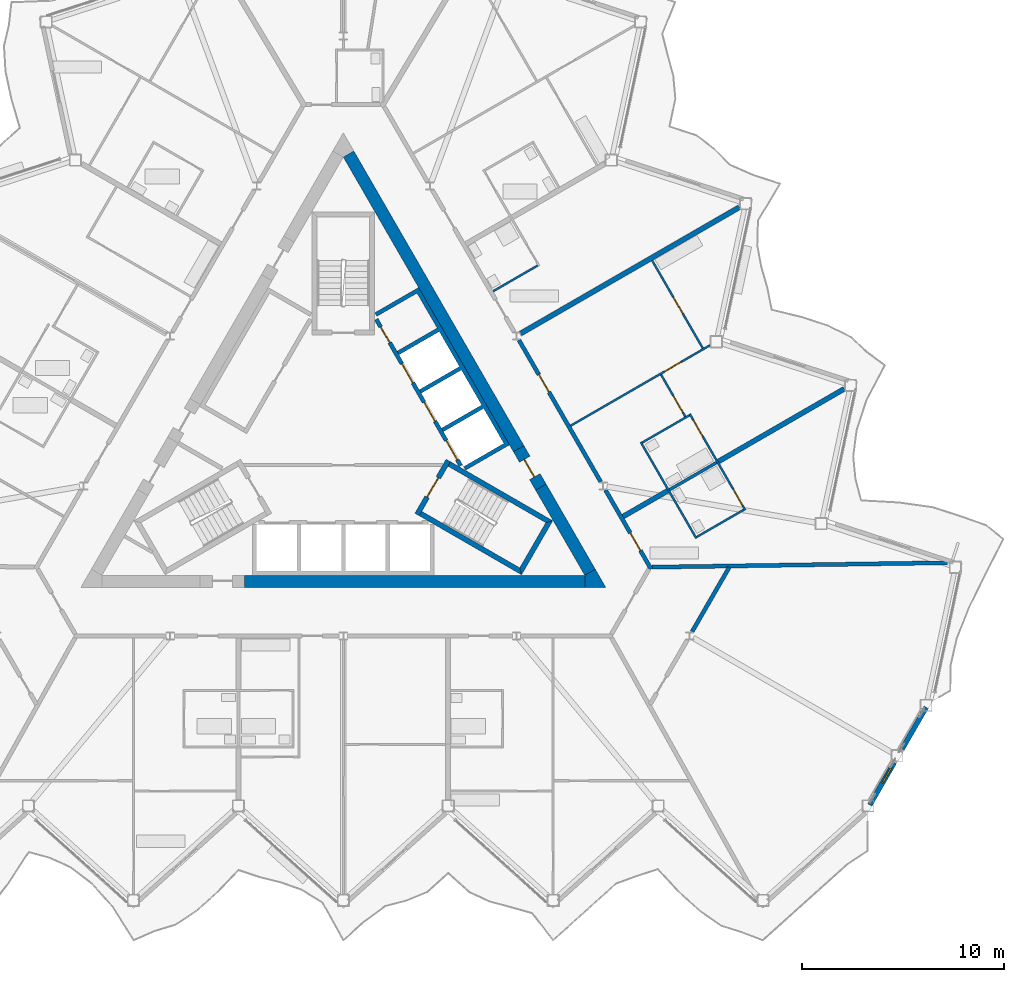
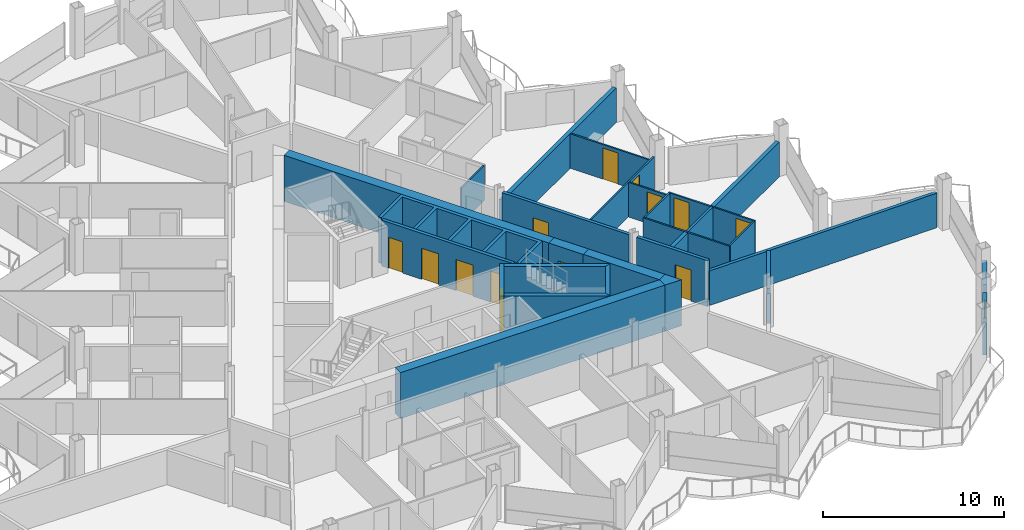
# One storey, part 16 of 26: 29 walls, 13 doors, 1 window, 14 openings.
"""IFC4 building model written with IfcOpenShell, lengths in metres."""

from ifc_helpers import new_model, si_unit, direction, frame, frame_2d, origin, place, context, subcontext, project, spatial, polyline, rectangle, outline, extrude, material, layer, layer_set, type_object, element, fill, save


model = new_model("IFC4")

# Units and contexts
model_context = context("Model", 3, precision=1e-05, world=origin(), true_north=direction((0.0, 1.0)))
body_context = subcontext(model_context, "Body", "Model", "MODEL_VIEW")
ifc_project = project(units=[si_unit("LENGTHUNIT", "METRE"), si_unit("AREAUNIT", "SQUARE_METRE"), si_unit("VOLUMEUNIT", "CUBIC_METRE"), si_unit("PLANEANGLEUNIT", "RADIAN"), si_unit("MASSUNIT", "GRAM", prefix="KILO")], contexts=[model_context])

# Site, building, storey
site_placement = place(None, origin())
site = spatial("IfcSite", under=ifc_project, at=site_placement, CompositionType="ELEMENT")
building_placement = place(site_placement, origin())
building = spatial("IfcBuilding", under=site, at=building_placement, Name="Cormorant Prow Tower", CompositionType="ELEMENT")
storey_placement = place(building_placement, frame((0.0, 0.0, 325.60009765625)))
storey = spatial("IfcBuildingStorey", under=building, at=storey_placement, Name="L72", CompositionType="ELEMENT", Elevation=325.60009765625)

# Walls
ifc_material_1 = material(Name="Concrete 8000 psi", Category="concrete")
ifc_layer_1 = layer(ifc_material_1, 0.60009765625)
ifc_layer_set_1 = layer_set([ifc_layer_1], Name="Concrete 8000 psi")
wall_type_1 = type_object("IfcWallType", Name="Core shear wall 600", PredefinedType="SHEAR", material=ifc_layer_set_1)
for number, where, z_axis, x_axis, name in (
    (1, (-4.89208984375, -7.20556640625, 0.0), (0.0, 0.0, 1.0), (1.0, 0.0, 0.0), "Core wall"),
    (2, (8.686279296875, -0.6337890625, 0.0), (0.0, 0.0, 1.0), (-0.500004601921, 0.866022746848, 0.0), "Core wall"),
):
    element("IfcWall", number, at=place(storey_placement, frame(where, z_axis=z_axis, x_axis=x_axis)), inside=storey, type_object=wall_type_1, Name=name, PredefinedType="SHEAR", context=body_context, shape_type="SweptSolid", body=[
        extrude(rectangle(XDim=16.852783203125, YDim=0.60009765625, at=frame_2d((8.42626953125, 0.0))), origin(), (0.0, 0.0, 1.0), 3.099853515625),
    ])
wall_1_placement = place(storey_placement, frame((12.220703125, -6.755615234375, 0.0), z_axis=(0.0, 0.0, 1.0), x_axis=(-0.50000604952, 0.866021911064, 0.0)))
element("IfcWall", 3, at=wall_1_placement, inside=storey, type_object=wall_type_1, Name="Core wall", PredefinedType="SHEAR", context=body_context, shape_type="SweptSolid", body=[
    extrude(rectangle(XDim=4.86865234375, YDim=0.60009765625, at=frame_2d((2.434326171875, 0.0))), origin(), (0.0, 0.0, 1.0), 3.099853515625),
])
wall_2_placement = place(storey_placement, origin())
element("IfcWall", 4, at=wall_2_placement, inside=storey, type_object=wall_type_1, Name="Core wall corner", PredefinedType="SHEAR", context=body_context, shape_type="SweptSolid", body=[
    extrude(outline(polyline([(11.960693359375, -7.505615234375), (11.960693359375, -6.905517578125), (12.48046875, -6.605712890625), (13.0, -7.505615234375), (11.960693359375, -7.505615234375)])), origin(), (0.0, 0.0, 1.0), 3.099853515625),
])

# Wall, opening, door
wall_3_placement = place(storey_placement, frame((9.786376953125, -2.539306640625, 0.0), z_axis=(0.0, 0.0, 1.0), x_axis=(-0.499981787252, 0.866035918664, 0.0)))
wall_3 = element("IfcWall", 5, at=wall_3_placement, inside=storey, type_object=wall_type_1, Name="Core wall door panel", PredefinedType="SHEAR", context=body_context, shape_type="SweptSolid", body=[
    extrude(rectangle(XDim=2.2001953125, YDim=0.60009765625, at=frame_2d((1.10009765625, 0.0))), origin(), (0.0, 0.0, 1.0), 3.099853515625),
])
opening_1_placement = place(wall_3_placement, frame((0.60009765625, 0.0, 0.0)))
opening_1 = element("IfcOpeningElement", 6, at=opening_1_placement, cuts=wall_3, Name="Opening L72-C15", PredefinedType="OPENING", context=body_context, shape_type="SweptSolid", body=[
    extrude(rectangle(XDim=1.0, YDim=2.10009765625, at=frame_2d((0.5, 1.050048828125))), frame((0.0, 0.31005859375, 0.0), z_axis=(0.0, -1.0, 0.0), x_axis=(1.0, 0.0, 0.0)), (0.0, 0.0, 1.0), 0.6201171875),
])
ifc_material_2 = material(Name="Painted steel", Category="steel")
door_type_1 = type_object("IfcDoorType", Name="Service door 1000x2100", OperationType="NOTDEFINED", PredefinedType="DOOR", material=ifc_material_2)
door_1_placement = place(opening_1_placement, origin())
door_1 = element("IfcDoor", 7, at=door_1_placement, inside=storey, type_object=door_type_1, Name="Core door, Electrical room", OperationType="SINGLE_SWING_LEFT", OverallHeight=2.10009765625, OverallWidth=1.0, PredefinedType="DOOR", context=body_context, shape_type="SweptSolid", body=[
    extrude(rectangle(XDim=1.0, YDim=2.10009765625, at=frame_2d((0.5, 1.050048828125))), frame((0.0, 0.05517578125, 0.0), z_axis=(0.0, -1.0, 0.0), x_axis=(1.0, 0.0, 0.0)), (0.0, 0.0, 1.0), 0.050048828125),
])
fill(opening_1, door_1)

ifc_material_3 = material(Name="Gypsum board corridor wall")
ifc_layer_2 = layer(ifc_material_3, 0.199951171875)
ifc_layer_set_2 = layer_set([ifc_layer_2], Name="Gypsum board corridor wall")
wall_type_2 = type_object("IfcWallType", Name="Corridor wall 200", PredefinedType="PARTITIONING", material=ifc_layer_set_2)
wall_4_placement = place(storey_placement, frame((8.698486328125, 4.7451171875, 0.0), z_axis=(0.0, 0.0, 1.0), x_axis=(0.499984266882, -0.866034487114, 0.0)))
wall_4 = element("IfcWall", 8, at=wall_4_placement, inside=storey, type_object=wall_type_2, Name="Corridor wall", PredefinedType="PARTITIONING", context=body_context, shape_type="SweptSolid", body=[
    extrude(rectangle(XDim=8.098876953125, YDim=0.199951171875, at=frame_2d((4.04931640625, 0.0))), origin(), (0.0, 0.0, 1.0), 3.099853515625),
])
opening_2_placement = place(wall_4_placement, frame((1.975830078125, 0.0, 0.0)))
opening_2 = element("IfcOpeningElement", 9, at=opening_2_placement, cuts=wall_4, Name="Opening L72-F20", PredefinedType="OPENING", context=body_context, shape_type="SweptSolid", body=[
    extrude(rectangle(XDim=1.0, YDim=2.10009765625, at=frame_2d((0.5, 1.050048828125))), frame((0.0, 0.10986328125, 0.0), z_axis=(0.0, -1.0, 0.0), x_axis=(1.0, 0.0, 0.0)), (0.0, 0.0, 1.0), 0.219970703125),
])
ifc_material_4 = material(Name="Timber door leaf", Category="wood")
door_type_2 = type_object("IfcDoorType", Name="Flat or room entrance door 1000x2100", OperationType="NOTDEFINED", PredefinedType="DOOR", material=ifc_material_4)
door_2_placement = place(opening_2_placement, origin())
door_2 = element("IfcDoor", 10, at=door_2_placement, inside=storey, type_object=door_type_2, Name="Living room door", OperationType="SINGLE_SWING_RIGHT", OverallHeight=2.10009765625, OverallWidth=1.0, PredefinedType="DOOR", context=body_context, shape_type="SweptSolid", body=[
    extrude(rectangle(XDim=1.0, YDim=2.10009765625, at=frame_2d((0.5, 1.050048828125))), frame((0.0, 0.02490234375, 0.0), z_axis=(0.0, -1.0, 0.0), x_axis=(1.0, 0.0, 0.0)), (0.0, 0.0, 1.0), 0.050048828125),
])
fill(opening_2, door_2)

wall_5_placement = place(storey_placement, frame((12.987548828125, -2.68408203125, 0.0), z_axis=(0.0, 0.0, 1.0), x_axis=(0.49999094734, -0.866030630277, 0.0)))
wall_5 = element("IfcWall", 11, at=wall_5_placement, inside=storey, type_object=wall_type_2, Name="Corridor wall", PredefinedType="PARTITIONING", context=body_context, shape_type="SweptSolid", body=[
    extrude(rectangle(XDim=4.5126953125, YDim=0.199951171875, at=frame_2d((2.25634765625, 0.0))), origin(), (0.0, 0.0, 1.0), 3.099853515625),
])
opening_3_placement = place(wall_5_placement, frame((2.459228515625, 0.0, 0.0)))
opening_3 = element("IfcOpeningElement", 12, at=opening_3_placement, cuts=wall_5, Name="Opening L72-F18", PredefinedType="OPENING", context=body_context, shape_type="SweptSolid", body=[
    extrude(rectangle(XDim=1.0, YDim=2.10009765625, at=frame_2d((0.5, 1.050048828125))), frame((0.0, 0.10986328125, 0.0), z_axis=(0.0, -1.0, 0.0), x_axis=(1.0, 0.0, 0.0)), (0.0, 0.0, 1.0), 0.219970703125),
])
door_3_placement = place(opening_3_placement, origin())
door_3 = element("IfcDoor", 13, at=door_3_placement, inside=storey, type_object=door_type_2, Name="Studio living, kitchen and sleeping room door", OperationType="SINGLE_SWING_LEFT", OverallHeight=2.10009765625, OverallWidth=1.0, PredefinedType="DOOR", context=body_context, shape_type="SweptSolid", body=[
    extrude(rectangle(XDim=1.0, YDim=2.10009765625, at=frame_2d((0.5, 1.050048828125))), frame((0.0, 0.02490234375, 0.0), z_axis=(0.0, -1.0, 0.0), x_axis=(1.0, 0.0, 0.0)), (0.0, 0.0, 1.0), 0.050048828125),
])
fill(opening_3, door_3)

# Walls
ifc_material_5 = material(Name="Gypsum board demising wall")
ifc_layer_3 = layer(ifc_material_5, 0.199951171875)
ifc_layer_set_3 = layer_set([ifc_layer_3], Name="Gypsum board demising wall")
wall_type_3 = type_object("IfcWallType", Name="Demising wall 200", PredefinedType="PARTITIONING", material=ifc_layer_set_3)
wall_6_placement = place(storey_placement, frame((15.2939453125, -6.50390625, 0.0), z_axis=(0.0, 0.0, 1.0), x_axis=(0.999886982846, 0.015034012608, 0.0)))
element("IfcWall", 14, at=wall_6_placement, inside=storey, type_object=wall_type_3, Name="Demising wall", PredefinedType="PARTITIONING", context=body_context, shape_type="SweptSolid", body=[
    extrude(rectangle(XDim=14.631591796875, YDim=0.199951171875, at=frame_2d((7.31591796875, 0.0))), origin(), (0.0, 0.0, 1.0), 2.330078125),
])
wall_7_placement = place(storey_placement, frame((17.27685546875, -9.697998046875, 0.0), z_axis=(0.0, 0.0, 1.0), x_axis=(0.499978535015, 0.866037796245, 0.0)))
element("IfcWall", 15, at=wall_7_placement, inside=storey, type_object=wall_type_3, Name="Demising wall", PredefinedType="PARTITIONING", context=body_context, shape_type="SweptSolid", body=[
    extrude(rectangle(XDim=3.686279296875, YDim=0.199951171875, at=frame_2d((1.84326171875, 0.0))), origin(), (0.0, 0.0, 1.0), 2.330078125),
])

# Wall, opening, door
ifc_material_6 = material(Name="Gypsum board partition")
ifc_layer_4 = layer(ifc_material_6, 0.10009765625)
ifc_layer_set_4 = layer_set([ifc_layer_4], Name="Gypsum board partition")
wall_type_4 = type_object("IfcWallType", Name="Internal partition 100", PredefinedType="PARTITIONING", material=ifc_layer_set_4)
wall_8_placement = place(storey_placement, frame((11.262451171875, 0.50390625, 0.0), z_axis=(0.0, 0.0, 1.0), x_axis=(0.866020217342, 0.500008983073, 0.0)))
wall_8 = element("IfcWall", 16, at=wall_8_placement, inside=storey, type_object=wall_type_4, Name="Internal partition", PredefinedType="PARTITIONING", context=body_context, shape_type="SweptSolid", body=[
    extrude(rectangle(XDim=7.965576171875, YDim=0.10009765625, at=frame_2d((3.98291015625, 0.0))), origin(), (0.0, 0.0, 1.0), 2.330078125),
])
opening_4_placement = place(wall_8_placement, frame((5.3623046875, 0.0, 0.0)))
opening_4 = element("IfcOpeningElement", 17, at=opening_4_placement, cuts=wall_8, Name="Opening L72-F22", PredefinedType="OPENING", context=body_context, shape_type="SweptSolid", body=[
    extrude(rectangle(XDim=0.949951171875, YDim=2.10009765625, at=frame_2d((0.47509765625, 1.050048828125))), frame((0.0, 0.06005859375, 0.0), z_axis=(0.0, -1.0, 0.0), x_axis=(1.0, 0.0, 0.0)), (0.0, 0.0, 1.0), 0.1201171875),
])
ifc_material_7 = material(Name="Timber door leaf", Category="wood")
door_type_3 = type_object("IfcDoorType", Name="Bathroom door 950x2100", OperationType="NOTDEFINED", PredefinedType="DOOR", material=ifc_material_7)
door_4_placement = place(opening_4_placement, origin())
door_4 = element("IfcDoor", 18, at=door_4_placement, inside=storey, type_object=door_type_3, Name="Living room door", OperationType="SINGLE_SWING_LEFT", OverallHeight=2.10009765625, OverallWidth=0.949951171875, PredefinedType="DOOR", context=body_context, shape_type="SweptSolid", body=[
    extrude(rectangle(XDim=0.949951171875, YDim=2.10009765625, at=frame_2d((0.47509765625, 1.050048828125))), frame((0.0, 0.02490234375, 0.0), z_axis=(0.0, -1.0, 0.0), x_axis=(1.0, 0.0, 0.0)), (0.0, 0.0, 1.0), 0.050048828125),
])
fill(opening_4, door_4)

# Wall, openings, doors
wall_9_placement = place(storey_placement, frame((17.161376953125, 1.0869140625, 0.0), z_axis=(0.0, 0.0, 1.0), x_axis=(0.499996545922, -0.866027397988, 0.0)))
wall_9 = element("IfcWall", 19, at=wall_9_placement, inside=storey, type_object=wall_type_4, Name="Internal partition", PredefinedType="PARTITIONING", context=body_context, shape_type="SweptSolid", body=[
    extrude(rectangle(XDim=5.5, YDim=0.10009765625, at=frame_2d((2.75, 0.0))), origin(), (0.0, 0.0, 1.0), 2.330078125),
])
opening_5_placement = place(wall_9_placement, frame((4.300048828125, 0.0, 0.0)))
opening_5 = element("IfcOpeningElement", 20, at=opening_5_placement, cuts=wall_9, Name="Opening L72-F19", PredefinedType="OPENING", context=body_context, shape_type="SweptSolid", body=[
    extrude(rectangle(XDim=0.949951171875, YDim=2.10009765625, at=frame_2d((0.47509765625, 1.050048828125))), frame((0.0, 0.06005859375, 0.0), z_axis=(0.0, -1.0, 0.0), x_axis=(1.0, 0.0, 0.0)), (0.0, 0.0, 1.0), 0.1201171875),
])
opening_6_placement = place(wall_9_placement, frame((0.351318359375, 0.0, 0.0)))
opening_6 = element("IfcOpeningElement", 21, at=opening_6_placement, cuts=wall_9, Name="Opening L72-F24", PredefinedType="OPENING", context=body_context, shape_type="SweptSolid", body=[
    extrude(rectangle(XDim=0.949951171875, YDim=2.10009765625, at=frame_2d((0.47509765625, 1.050048828125))), frame((0.0, 0.06005859375, 0.0), z_axis=(0.0, -1.0, 0.0), x_axis=(1.0, 0.0, 0.0)), (0.0, 0.0, 1.0), 0.1201171875),
])
door_5_placement = place(opening_5_placement, origin())
door_5 = element("IfcDoor", 22, at=door_5_placement, inside=storey, type_object=door_type_3, Name="Studio living, kitchen and sleeping room door", OperationType="SINGLE_SWING_RIGHT", OverallHeight=2.10009765625, OverallWidth=0.949951171875, PredefinedType="DOOR", context=body_context, shape_type="SweptSolid", body=[
    extrude(rectangle(XDim=0.949951171875, YDim=2.10009765625, at=frame_2d((0.47509765625, 1.050048828125))), frame((0.0, 0.02490234375, 0.0), z_axis=(0.0, -1.0, 0.0), x_axis=(1.0, 0.0, 0.0)), (0.0, 0.0, 1.0), 0.050048828125),
])
fill(opening_5, door_5)
door_6_placement = place(opening_6_placement, origin())
door_6 = element("IfcDoor", 23, at=door_6_placement, inside=storey, type_object=door_type_3, Name="Bedroom door", OperationType="SINGLE_SWING_LEFT", OverallHeight=2.10009765625, OverallWidth=0.949951171875, PredefinedType="DOOR", context=body_context, shape_type="SweptSolid", body=[
    extrude(rectangle(XDim=0.949951171875, YDim=2.10009765625, at=frame_2d((0.47509765625, 1.050048828125))), frame((0.0, 0.02490234375, 0.0), z_axis=(0.0, -1.0, 0.0), x_axis=(1.0, 0.0, 0.0)), (0.0, 0.0, 1.0), 0.050048828125),
])
fill(opening_6, door_6)

# Wall
wall_10_placement = place(storey_placement, frame((14.736328125, -0.31298828125, 0.0), z_axis=(0.0, 0.0, 1.0), x_axis=(0.49997732567, -0.866038494419, 0.0)))
element("IfcWall", 24, at=wall_10_placement, inside=storey, type_object=wall_type_4, Name="Internal partition", PredefinedType="PARTITIONING", context=body_context, shape_type="SweptSolid", body=[
    extrude(rectangle(XDim=5.500244140625, YDim=0.10009765625, at=frame_2d((2.75, 0.0))), origin(), (0.0, 0.0, 1.0), 2.330078125),
])

# Wall, opening, door
wall_11_placement = place(storey_placement, frame((15.29736328125, 8.6875, 0.0), z_axis=(0.0, 0.0, 1.0), x_axis=(0.499989096993, -0.866031698547, 0.0)))
wall_11 = element("IfcWall", 25, at=wall_11_placement, inside=storey, type_object=wall_type_4, Name="Internal partition", PredefinedType="PARTITIONING", context=body_context, shape_type="SweptSolid", body=[
    extrude(rectangle(XDim=5.01953125, YDim=0.10009765625, at=frame_2d((2.509765625, 0.0))), origin(), (0.0, 0.0, 1.0), 2.330078125),
])
opening_7_placement = place(wall_11_placement, frame((2.0859375, 0.0, 0.0)))
opening_7 = element("IfcOpeningElement", 26, at=opening_7_placement, cuts=wall_11, Name="Opening L72-F21", PredefinedType="OPENING", context=body_context, shape_type="SweptSolid", body=[
    extrude(rectangle(XDim=0.949951171875, YDim=2.10009765625, at=frame_2d((0.47509765625, 1.050048828125))), frame((0.0, 0.06005859375, 0.0), z_axis=(0.0, -1.0, 0.0), x_axis=(1.0, 0.0, 0.0)), (0.0, 0.0, 1.0), 0.1201171875),
])
door_7_placement = place(opening_7_placement, origin())
door_7 = element("IfcDoor", 27, at=door_7_placement, inside=storey, type_object=door_type_3, Name="Living room door", OperationType="SINGLE_SWING_RIGHT", OverallHeight=2.10009765625, OverallWidth=0.949951171875, PredefinedType="DOOR", context=body_context, shape_type="SweptSolid", body=[
    extrude(rectangle(XDim=0.949951171875, YDim=2.10009765625, at=frame_2d((0.47509765625, 1.050048828125))), frame((0.0, 0.02490234375, 0.0), z_axis=(0.0, -1.0, 0.0), x_axis=(1.0, 0.0, 0.0)), (0.0, 0.0, 1.0), 0.050048828125),
])
fill(opening_7, door_7)

# Walls
wall_12_placement = place(storey_placement, frame((17.504638671875, -5.008056640625, 0.0), z_axis=(0.0, 0.0, 1.0), x_axis=(0.866019956843, 0.50000943426, 0.0)))
element("IfcWall", 28, at=wall_12_placement, inside=storey, type_object=wall_type_4, Name="Internal partition", PredefinedType="PARTITIONING", context=body_context, shape_type="SweptSolid", body=[
    extrude(rectangle(XDim=2.7001953125, YDim=0.10009765625, at=frame_2d((1.35009765625, 0.0))), origin(), (0.0, 0.0, 1.0), 2.330078125),
])
wall_13_placement = place(storey_placement, frame((14.8046875, -0.331298828125, 0.0), z_axis=(0.0, 0.0, 1.0), x_axis=(0.866059108428, 0.4999416173, 0.0)))
element("IfcWall", 29, at=wall_13_placement, inside=storey, type_object=wall_type_4, Name="Internal partition", PredefinedType="PARTITIONING", context=body_context, shape_type="SweptSolid", body=[
    extrude(rectangle(XDim=2.699951171875, YDim=0.10009765625, at=frame_2d((1.35009765625, 0.0))), origin(), (0.0, 0.0, 1.0), 2.330078125),
])
wall_14_placement = place(storey_placement, frame((7.417724609375, 7.163330078125, 0.0), z_axis=(0.0, 0.0, 1.0), x_axis=(0.866054858364, 0.499948979701, 0.0)))
element("IfcWall", 30, at=wall_14_placement, inside=storey, type_object=wall_type_4, Name="Internal partition", PredefinedType="PARTITIONING", context=body_context, shape_type="SweptSolid", body=[
    extrude(rectangle(XDim=2.550048828125, YDim=0.10009765625, at=frame_2d((1.27490234375, 0.0))), origin(), (0.0, 0.0, 1.0), 2.330078125),
])

# Wall, opening, door
wall_15_placement = place(storey_placement, frame((15.740478515625, 3.03173828125, 0.0), z_axis=(0.0, 0.0, 1.0), x_axis=(0.500075453945, -0.865981836046, 0.0)))
wall_15 = element("IfcWall", 31, at=wall_15_placement, inside=storey, type_object=wall_type_4, Name="Internal partition", PredefinedType="PARTITIONING", context=body_context, shape_type="SweptSolid", body=[
    extrude(rectangle(XDim=2.394775390625, YDim=0.10009765625, at=frame_2d((1.197265625, 0.0))), origin(), (0.0, 0.0, 1.0), 2.330078125),
])
opening_8_placement = place(wall_15_placement, frame((1.19482421875, 0.0, 0.0)))
opening_8 = element("IfcOpeningElement", 32, at=opening_8_placement, cuts=wall_15, Name="Opening L72-F23", PredefinedType="OPENING", context=body_context, shape_type="SweptSolid", body=[
    extrude(rectangle(XDim=0.949951171875, YDim=2.10009765625, at=frame_2d((0.47509765625, 1.050048828125))), frame((0.0, 0.06005859375, 0.0), z_axis=(0.0, -1.0, 0.0), x_axis=(1.0, 0.0, 0.0)), (0.0, 0.0, 1.0), 0.1201171875),
])
door_8_placement = place(opening_8_placement, origin())
door_8 = element("IfcDoor", 33, at=door_8_placement, inside=storey, type_object=door_type_3, Name="Bedroom door", OperationType="SINGLE_SWING_RIGHT", OverallHeight=2.10009765625, OverallWidth=0.949951171875, PredefinedType="DOOR", context=body_context, shape_type="SweptSolid", body=[
    extrude(rectangle(XDim=0.949951171875, YDim=2.10009765625, at=frame_2d((0.47509765625, 1.050048828125))), frame((0.0, 0.02490234375, 0.0), z_axis=(0.0, -1.0, 0.0), x_axis=(1.0, 0.0, 0.0)), (0.0, 0.0, 1.0), 0.050048828125),
])
fill(opening_8, door_8)

# Wall, openings, doors
ifc_material_8 = material(Name="Concrete 5000 psi", Category="concrete")
ifc_layer_5 = layer(ifc_material_8, 0.199951171875)
ifc_layer_set_5 = layer_set([ifc_layer_5], Name="Concrete 5000 psi")
wall_type_5 = type_object("IfcWallType", Name="Lift lobby wall 200", PredefinedType="SOLIDWALL", material=ifc_layer_set_5)
wall_16_placement = place(storey_placement, frame((5.817138671875, -1.4755859375, 0.0), z_axis=(0.0, 0.0, 1.0), x_axis=(-0.500002616675, 0.866023893041, 0.0)))
wall_16 = element("IfcWall", 34, at=wall_16_placement, inside=storey, type_object=wall_type_5, Name="Lift lobby wall, ENE block", PredefinedType="SOLIDWALL", context=body_context, shape_type="SweptSolid", body=[
    extrude(rectangle(XDim=8.373046875, YDim=0.199951171875, at=frame_2d((4.1865234375, 0.0))), origin(), (0.0, 0.0, 1.0), 3.099853515625),
])
opening_9_placement = place(wall_16_placement, frame((0.336669921875, 0.0, 0.0)))
opening_9 = element("IfcOpeningElement", 35, at=opening_9_placement, cuts=wall_16, Name="Opening L72-C05", PredefinedType="OPENING", context=body_context, shape_type="SweptSolid", body=[
    extrude(rectangle(XDim=1.10009765625, YDim=2.10009765625, at=frame_2d((0.550048828125, 1.050048828125))), frame((0.0, 0.10986328125, 0.0), z_axis=(0.0, -1.0, 0.0), x_axis=(1.0, 0.0, 0.0)), (0.0, 0.0, 1.0), 0.219970703125),
])
opening_10_placement = place(wall_16_placement, frame((2.53662109375, 0.0, 0.0)))
opening_10 = element("IfcOpeningElement", 36, at=opening_10_placement, cuts=wall_16, Name="Opening L72-C06", PredefinedType="OPENING", context=body_context, shape_type="SweptSolid", body=[
    extrude(rectangle(XDim=1.10009765625, YDim=2.10009765625, at=frame_2d((0.550048828125, 1.050048828125))), frame((0.0, 0.10986328125, 0.0), z_axis=(0.0, -1.0, 0.0), x_axis=(1.0, 0.0, 0.0)), (0.0, 0.0, 1.0), 0.219970703125),
])
opening_11_placement = place(wall_16_placement, frame((4.736572265625, 0.0, 0.0)))
opening_11 = element("IfcOpeningElement", 37, at=opening_11_placement, cuts=wall_16, Name="Opening L72-C07", PredefinedType="OPENING", context=body_context, shape_type="SweptSolid", body=[
    extrude(rectangle(XDim=1.10009765625, YDim=2.10009765625, at=frame_2d((0.550048828125, 1.050048828125))), frame((0.0, 0.10986328125, 0.0), z_axis=(0.0, -1.0, 0.0), x_axis=(1.0, 0.0, 0.0)), (0.0, 0.0, 1.0), 0.219970703125),
])
opening_12_placement = place(wall_16_placement, frame((7.03662109375, 0.0, 0.0)))
opening_12 = element("IfcOpeningElement", 38, at=opening_12_placement, cuts=wall_16, Name="Opening L72-C08", PredefinedType="OPENING", context=body_context, shape_type="SweptSolid", body=[
    extrude(rectangle(XDim=0.89990234375, YDim=2.10009765625, at=frame_2d((0.449951171875, 1.050048828125))), frame((0.0, 0.10986328125, 0.0), z_axis=(0.0, -1.0, 0.0), x_axis=(1.0, 0.0, 0.0)), (0.0, 0.0, 1.0), 0.219970703125),
])
ifc_material_9 = material(Name="Painted steel", Category="steel")
door_type_4 = type_object("IfcDoorType", Name="Lift landing door 1100x2100", OperationType="SLIDING_TO_LEFT", PredefinedType="DOOR", material=ifc_material_9)
door_9_placement = place(opening_9_placement, origin())
door_9 = element("IfcDoor", 39, at=door_9_placement, inside=storey, type_object=door_type_4, Name="Landing door HR2", OperationType="SLIDING_TO_LEFT", OverallHeight=2.10009765625, OverallWidth=1.10009765625, PredefinedType="DOOR", context=body_context, shape_type="SweptSolid", body=[
    extrude(rectangle(XDim=1.10009765625, YDim=2.10009765625, at=frame_2d((0.550048828125, 1.050048828125))), frame((0.0, 0.02490234375, 0.0), z_axis=(0.0, -1.0, 0.0), x_axis=(1.0, 0.0, 0.0)), (0.0, 0.0, 1.0), 0.050048828125),
])
fill(opening_9, door_9)
door_10_placement = place(opening_10_placement, origin())
door_10 = element("IfcDoor", 40, at=door_10_placement, inside=storey, type_object=door_type_4, Name="Landing door HR3", OperationType="SLIDING_TO_LEFT", OverallHeight=2.10009765625, OverallWidth=1.10009765625, PredefinedType="DOOR", context=body_context, shape_type="SweptSolid", body=[
    extrude(rectangle(XDim=1.10009765625, YDim=2.10009765625, at=frame_2d((0.550048828125, 1.050048828125))), frame((0.0, 0.02490234375, 0.0), z_axis=(0.0, -1.0, 0.0), x_axis=(1.0, 0.0, 0.0)), (0.0, 0.0, 1.0), 0.050048828125),
])
fill(opening_10, door_10)
door_11_placement = place(opening_11_placement, origin())
door_11 = element("IfcDoor", 41, at=door_11_placement, inside=storey, type_object=door_type_4, Name="Landing door HR4", OperationType="SLIDING_TO_LEFT", OverallHeight=2.10009765625, OverallWidth=1.10009765625, PredefinedType="DOOR", context=body_context, shape_type="SweptSolid", body=[
    extrude(rectangle(XDim=1.10009765625, YDim=2.10009765625, at=frame_2d((0.550048828125, 1.050048828125))), frame((0.0, 0.02490234375, 0.0), z_axis=(0.0, -1.0, 0.0), x_axis=(1.0, 0.0, 0.0)), (0.0, 0.0, 1.0), 0.050048828125),
])
fill(opening_11, door_11)
ifc_material_10 = material(Name="Painted steel", Category="steel")
door_type_5 = type_object("IfcDoorType", Name="Service door 900x2100", OperationType="NOTDEFINED", PredefinedType="DOOR", material=ifc_material_10)
door_12_placement = place(opening_12_placement, origin())
door_12 = element("IfcDoor", 42, at=door_12_placement, inside=storey, type_object=door_type_5, Name="Service door, Pantry store", OperationType="SINGLE_SWING_RIGHT", OverallHeight=2.10009765625, OverallWidth=0.89990234375, PredefinedType="DOOR", context=body_context, shape_type="SweptSolid", body=[
    extrude(rectangle(XDim=0.89990234375, YDim=2.10009765625, at=frame_2d((0.449951171875, 1.050048828125))), frame((0.0, 0.02490234375, 0.0), z_axis=(0.0, -1.0, 0.0), x_axis=(1.0, 0.0, 0.0)), (0.0, 0.0, 1.0), 0.050048828125),
])
fill(opening_12, door_12)

# Walls
ifc_material_11 = material(Name="Concrete 8000 psi", Category="concrete")
ifc_layer_6 = layer(ifc_material_11, 0.199951171875)
ifc_layer_set_6 = layer_set([ifc_layer_6], Name="Concrete 8000 psi")
wall_type_6 = type_object("IfcWallType", Name="Lift shaft wall 200", PredefinedType="SHEAR", material=ifc_layer_set_6)
wall_17_placement = place(storey_placement, origin())
element("IfcWall", 43, at=wall_17_placement, inside=storey, type_object=wall_type_6, Name="Lift shaft walls, ENE block", PredefinedType="SHEAR", context=body_context, shape_type="SweptSolid", body=[
    extrude(outline(polyline([(1.560546875, 6.09716796875), (3.730712890625, 7.35009765625), (8.230712890625, -0.444091796875), (6.060546875, -1.697021484375), (5.96044921875, -1.52392578125), (7.952392578125, -0.373779296875), (6.952392578125, 1.358154296875), (4.96044921875, 0.2080078125), (4.860595703125, 0.38134765625), (6.852294921875, 1.53125), (5.852294921875, 3.263427734375), (3.860595703125, 2.11328125), (3.760498046875, 2.28662109375), (5.75244140625, 3.4365234375), (4.75244140625, 5.168701171875), (2.760498046875, 4.018798828125), (2.660400390625, 4.19189453125), (4.65234375, 5.341796875), (3.65234375, 7.073974609375), (1.660400390625, 5.923828125), (1.560546875, 6.09716796875)])), origin(), (0.0, 0.0, 1.0), 3.099853515625),
])
ifc_material_12 = material(Name="Concrete 8000 psi", Category="concrete")
ifc_layer_7 = layer(ifc_material_12, 0.25)
ifc_layer_set_7 = layer_set([ifc_layer_7], Name="Concrete 8000 psi")
wall_type_7 = type_object("IfcWallType", Name="Stair wall 250", PredefinedType="SHEAR", material=ifc_layer_set_7)
wall_18_placement = place(storey_placement, origin())
element("IfcWall", 44, at=wall_18_placement, inside=storey, type_object=wall_type_7, Name="Stair ST2 enclosure wall (flank)", PredefinedType="SHEAR", context=body_context, shape_type="SweptSolid", body=[
    extrude(outline(polyline([(3.76318359375, -3.95556640625), (8.82958984375, -6.880615234375), (8.738037109375, -6.5390625), (3.88818359375, -3.739013671875), (3.76318359375, -3.95556640625)])), origin(), (0.0, 0.0, 1.0), 3.099853515625),
])
wall_19_placement = place(storey_placement, origin())
element("IfcWall", 45, at=wall_19_placement, inside=storey, type_object=wall_type_7, Name="Stair ST2 enclosure wall (end)", PredefinedType="SHEAR", context=body_context, shape_type="SweptSolid", body=[
    extrude(outline(polyline([(8.82958984375, -6.880615234375), (10.37353515625, -4.206298828125), (10.031982421875, -4.2978515625), (8.738037109375, -6.5390625), (8.82958984375, -6.880615234375)])), origin(), (0.0, 0.0, 1.0), 3.099853515625),
])
wall_20_placement = place(storey_placement, origin())
element("IfcWall", 46, at=wall_20_placement, inside=storey, type_object=wall_type_7, Name="Stair ST2 enclosure wall (flank)", PredefinedType="SHEAR", context=body_context, shape_type="SweptSolid", body=[
    extrude(outline(polyline([(10.031982421875, -4.2978515625), (10.37353515625, -4.206298828125), (5.30712890625, -1.28125), (5.18212890625, -1.497802734375), (10.031982421875, -4.2978515625)])), origin(), (0.0, 0.0, 1.0), 3.099853515625),
])

# Wall, opening, door
wall_21_placement = place(storey_placement, frame((3.655029296875, -3.89306640625, 0.0), z_axis=(0.0, 0.0, 1.0), x_axis=(0.499982516597, 0.866035497597, 0.0)))
wall_21 = element("IfcWall", 47, at=wall_21_placement, inside=storey, type_object=wall_type_7, Name="Stair ST2 door wall", PredefinedType="SHEAR", context=body_context, shape_type="SweptSolid", body=[
    extrude(rectangle(XDim=3.087890625, YDim=0.25, at=frame_2d((1.5439453125, 0.0))), origin(), (0.0, 0.0, 1.0), 3.099853515625),
])
opening_13_placement = place(wall_21_placement, frame((0.993896484375, 0.0, 0.0)))
opening_13 = element("IfcOpeningElement", 48, at=opening_13_placement, cuts=wall_21, Name="Opening L72-C12", PredefinedType="OPENING", context=body_context, shape_type="SweptSolid", body=[
    extrude(rectangle(XDim=1.10009765625, YDim=2.10009765625, at=frame_2d((0.550048828125, 1.050048828125))), frame((0.0, 0.135009765625, 0.0), z_axis=(0.0, -1.0, 0.0), x_axis=(1.0, 0.0, 0.0)), (0.0, 0.0, 1.0), 0.27001953125),
])
ifc_material_13 = material(Name="Painted steel", Category="steel")
door_type_6 = type_object("IfcDoorType", Name="Stair door 1100x2100", OperationType="NOTDEFINED", PredefinedType="DOOR", material=ifc_material_13)
door_13_placement = place(opening_13_placement, origin())
door_13 = element("IfcDoor", 49, at=door_13_placement, inside=storey, type_object=door_type_6, Name="Stair ST2 door", OperationType="SINGLE_SWING_RIGHT", OverallHeight=2.10009765625, OverallWidth=1.10009765625, PredefinedType="DOOR", context=body_context, shape_type="SweptSolid", body=[
    extrude(rectangle(XDim=1.10009765625, YDim=2.10009765625, at=frame_2d((0.550048828125, 1.050048828125))), frame((0.0, 0.02490234375, 0.0), z_axis=(0.0, -1.0, 0.0), x_axis=(1.0, 0.0, 0.0)), (0.0, 0.0, 1.0), 0.050048828125),
])
fill(opening_13, door_13)

# Walls
ifc_material_14 = material(Name="Acoustic gypsum party wall")
ifc_layer_8 = layer(ifc_material_14, 0.25)
ifc_layer_set_8 = layer_set([ifc_layer_8], Name="Acoustic gypsum party wall")
wall_type_8 = type_object("IfcWallType", Name="Suite party wall 250", PredefinedType="PARTITIONING", material=ifc_layer_set_8)
wall_22_placement = place(storey_placement, frame((8.7861328125, 5.07275390625, 0.0), z_axis=(0.0, 0.0, 1.0), x_axis=(0.86602139559, 0.500006942333, 0.0)))
element("IfcWall", 50, at=wall_22_placement, inside=storey, type_object=wall_type_8, Name="Suite party wall", PredefinedType="PARTITIONING", context=body_context, shape_type="SweptSolid", body=[
    extrude(rectangle(XDim=12.504638671875, YDim=0.25, at=frame_2d((6.25244140625, 0.0))), origin(), (0.0, 0.0, 1.0), 2.330078125),
])
wall_23_placement = place(storey_placement, frame((18.57958984375, -1.269775390625, 0.0), z_axis=(0.0, 0.0, 1.0), x_axis=(0.866024647952, 0.500001309137, 0.0)))
element("IfcWall", 51, at=wall_23_placement, inside=storey, type_object=wall_type_8, Name="Suite party wall", PredefinedType="PARTITIONING", context=body_context, shape_type="SweptSolid", body=[
    extrude(rectangle(XDim=7.19970703125, YDim=0.25, at=frame_2d((3.599853515625, 0.0))), origin(), (0.0, 0.0, 1.0), 2.330078125),
])
wall_24_placement = place(storey_placement, frame((13.85986328125, -3.99462890625, 0.0), z_axis=(0.0, 0.0, 1.0), x_axis=(0.866030925526, 0.499990435942, 0.0)))
element("IfcWall", 52, at=wall_24_placement, inside=storey, type_object=wall_type_8, Name="Suite party wall", PredefinedType="PARTITIONING", context=body_context, shape_type="SweptSolid", body=[
    extrude(rectangle(XDim=2.5498046875, YDim=0.25, at=frame_2d((1.27490234375, 0.0))), origin(), (0.0, 0.0, 1.0), 2.330078125),
])

# Wall, opening, window
ifc_material_15 = material(Name="Terracotta", Category="masonry")
ifc_layer_9 = layer(ifc_material_15, 0.25)
ifc_layer_set_9 = layer_set([ifc_layer_9], Name="Terracotta")
wall_type_9 = type_object("IfcWallType", Name="Terracotta bay wall 250", PredefinedType="SOLIDWALL", material=ifc_layer_set_9)
wall_25_placement = place(storey_placement, frame((26.082275390625, -18.27978515625, 0.0), z_axis=(0.0, 0.0, 1.0), x_axis=(0.50001992892, 0.866013897511, 0.0)))
wall_25 = element("IfcWall", 53, at=wall_25_placement, inside=storey, type_object=wall_type_9, Name="Terracotta bay wall ESE00", PredefinedType="SOLIDWALL", context=body_context, shape_type="SweptSolid", body=[
    extrude(rectangle(XDim=2.41552734375, YDim=0.25, at=frame_2d((1.207763671875, 0.0))), origin(), (0.0, 0.0, 1.0), 2.48779296875),
])
opening_14_placement = place(wall_25_placement, frame((1.25, 0.0, 1.60009765625)))
opening_14 = element("IfcOpeningElement", 54, at=opening_14_placement, cuts=wall_25, Name="Opening WN7", PredefinedType="OPENING", context=body_context, shape_type="SweptSolid", body=[
    extrude(rectangle(XDim=0.89990234375, YDim=0.60009765625, at=frame_2d((0.449951171875, 0.300048828125))), frame((0.0, 0.135009765625, 0.0), z_axis=(0.0, -1.0, 0.0), x_axis=(1.0, 0.0, 0.0)), (0.0, 0.0, 1.0), 0.27001953125),
])
ifc_material_16 = material(Name="Aluminium 6063-T6", Category="aluminium")
window_type = type_object("IfcWindowType", Name="Corner bay window 900x600", PartitioningType="SINGLE_PANEL", PredefinedType="WINDOW", material=ifc_material_16)
window_placement = place(opening_14_placement, origin())
window = element("IfcWindow", 55, at=window_placement, inside=storey, type_object=window_type, Name="Corner bay window ESE00", OverallHeight=0.60009765625, OverallWidth=0.89990234375, PartitioningType="SINGLE_PANEL", PredefinedType="WINDOW", context=body_context, shape_type="SweptSolid", body=[
    extrude(rectangle(XDim=0.89990234375, YDim=0.60009765625, at=frame_2d((0.449951171875, 0.300048828125))), frame((0.0, 0.030029296875, 0.0), z_axis=(0.0, -1.0, 0.0), x_axis=(1.0, 0.0, 0.0)), (0.0, 0.0, 1.0), 0.06005859375),
])
fill(opening_14, window)

# Walls
wall_26_placement = place(storey_placement, frame((27.6796875, -15.512939453125, 0.0), z_axis=(0.0, 0.0, 1.0), x_axis=(0.499982446489, 0.866035538072, 0.0)))
element("IfcWall", 56, at=wall_26_placement, inside=storey, type_object=wall_type_9, Name="Terracotta bay wall ESE01", PredefinedType="SOLIDWALL", context=body_context, shape_type="SweptSolid", body=[
    extrude(rectangle(XDim=2.38427734375, YDim=0.25, at=frame_2d((1.192138671875, 0.0))), origin(), (0.0, 0.0, 1.0), 2.48779296875),
])
ifc_material_17 = material(Name="Plasterboard wet wall with pipe chase")
ifc_layer_10 = layer(ifc_material_17, 0.14990234375)
ifc_layer_set_10 = layer_set([ifc_layer_10], Name="Plasterboard wet wall with pipe chase")
wall_type_10 = type_object("IfcWallType", Name="Wet wall 150", PredefinedType="PLUMBINGWALL", material=ifc_layer_set_10)
wall_27_placement = place(storey_placement, frame((16.15478515625, -2.669677734375, 0.0), z_axis=(0.0, 0.0, 1.0), x_axis=(0.86599734893, 0.500048589285, 0.0)))
element("IfcWall", 57, at=wall_27_placement, inside=storey, type_object=wall_type_10, Name="Wet wall", PredefinedType="PLUMBINGWALL", context=body_context, shape_type="SweptSolid", body=[
    extrude(rectangle(XDim=2.699951171875, YDim=0.14990234375, at=frame_2d((1.35009765625, 0.0))), origin(), (0.0, 0.0, 1.0), 2.330078125),
])

save(model, "model.ifc")
